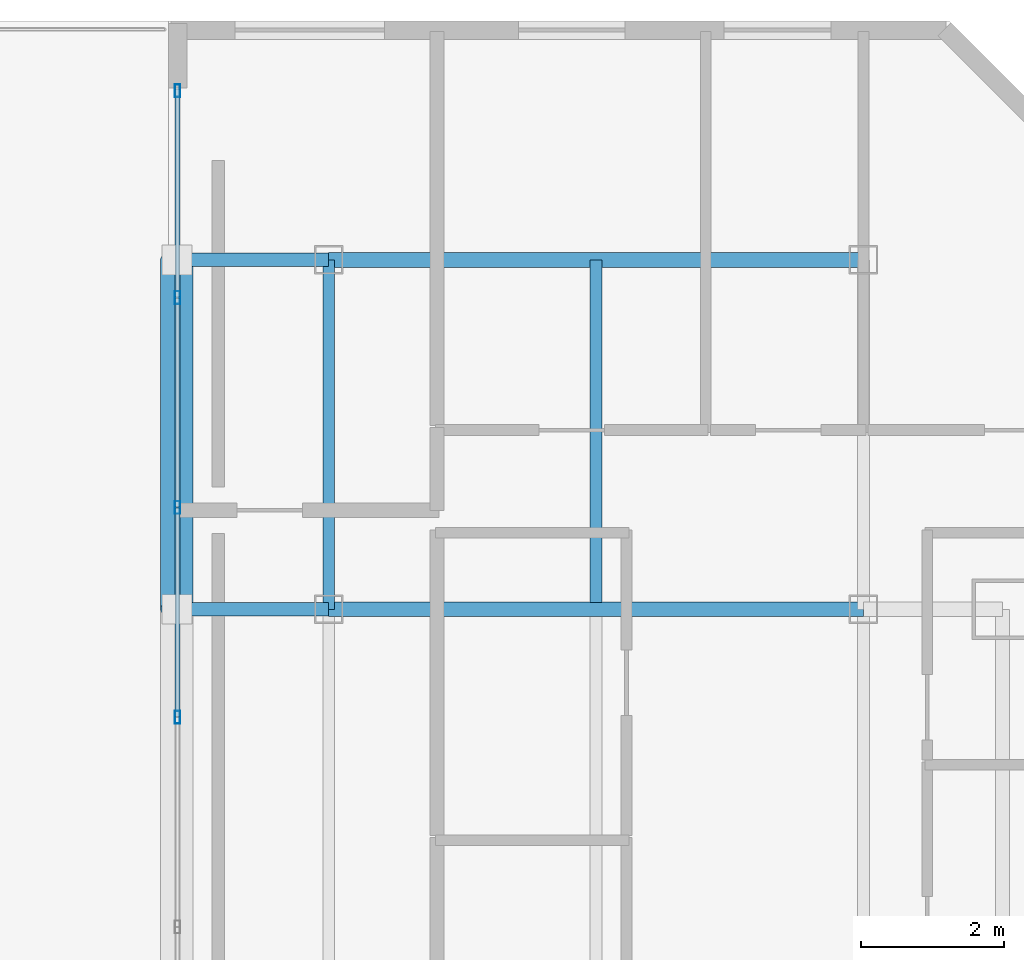
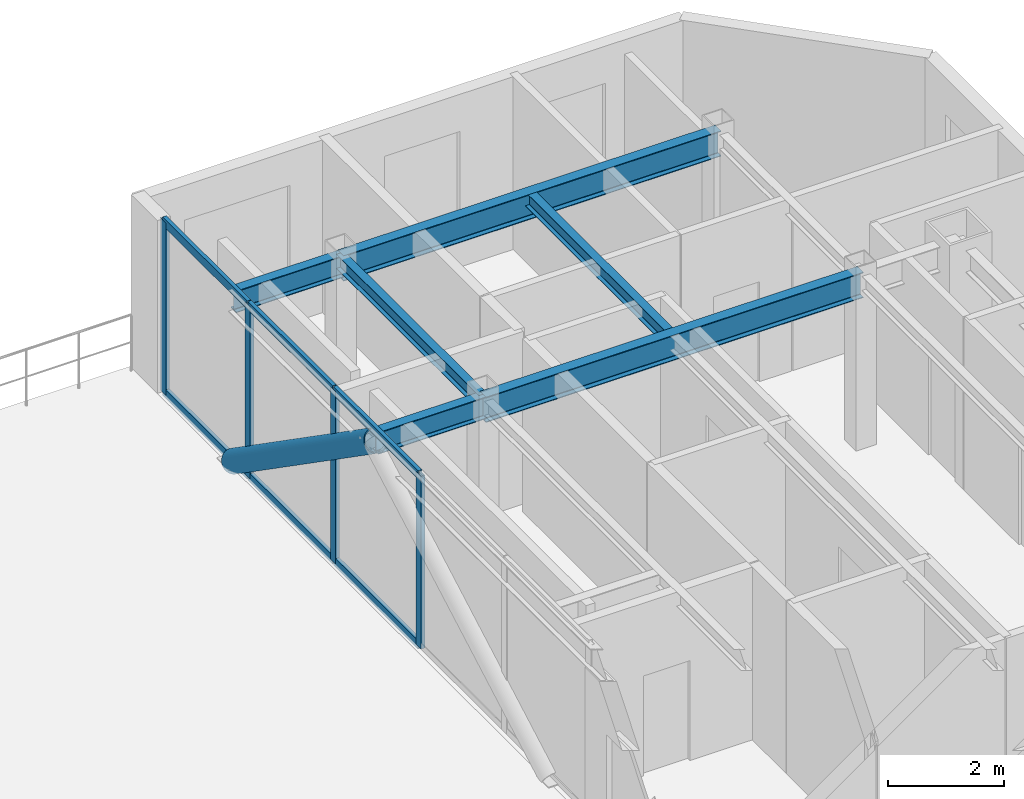
# One storey, part 7 of 14: 11 members, 6 beams, 1 element without a shape of its own.
"""IFC4 building model written with IfcOpenShell, lengths in metres."""

from ifc_helpers import new_model, si_unit, direction, frame, origin, origin_2d, place, context, subcontext, project, spatial, hollow_rectangle, hollow_circle, i_section, extrude, material, material_profile, profile_set, type_object, element, aggregate, save


model = new_model("IFC4")

# Units and contexts
model_context = context("Model", 3, precision=1e-05, world=origin(), true_north=direction((0.0, 1.0)))
body_context = subcontext(model_context, "Body", "Model", "MODEL_VIEW")
ifc_project = project(units=[si_unit("LENGTHUNIT", "METRE"), si_unit("AREAUNIT", "SQUARE_METRE"), si_unit("VOLUMEUNIT", "CUBIC_METRE"), si_unit("PLANEANGLEUNIT", "RADIAN"), si_unit("MASSUNIT", "GRAM", prefix="KILO")], contexts=[model_context])

# Site, building, storey
site_placement = place(None, origin())
site = spatial("IfcSite", under=ifc_project, at=site_placement, CompositionType="ELEMENT")
building_placement = place(site_placement, origin())
building = spatial("IfcBuilding", under=site, at=building_placement, Name="Ventersveld Concourse Tower", CompositionType="ELEMENT")
storey_placement = place(building_placement, frame((0.0, 0.0, 337.5)))
storey = spatial("IfcBuildingStorey", under=building, at=storey_placement, Name="L83", CompositionType="ELEMENT", Elevation=337.5)

# Beams
ifc_material_1 = material(Name="Structural steel S355J2", Category="steel")
ifc_material_profile_1 = material_profile(ifc_material_1, i_section(OverallWidth=0.1650390625, OverallDepth=0.303466796875, WebThickness=0.006103515625, FlangeThickness=0.01025390625, FilletRadius=0.0087890625, at=origin_2d()), Name="UB 305x165x40")
ifc_profile_set_1 = profile_set([ifc_material_profile_1], Name="Structural steel S355J2")
beam_type_1 = type_object("IfcBeamType", Name="BM-UB305", PredefinedType="BEAM", material=ifc_profile_set_1)
beam_1_placement = place(storey_placement, frame((36.25, 23.60009765625, 3.478271484375), z_axis=(0.0, 1.0, 0.0), x_axis=(-1.0, 0.0, 0.0)))
element("IfcBeam", 1, at=beam_1_placement, inside=storey, type_object=beam_type_1, Name="L83 N-S Upper-Zone Floor Beam X=36.25", PredefinedType="BEAM", context=body_context, shape_type="SweptSolid", body=[
    extrude(i_section(OverallWidth=0.1650390625, OverallDepth=0.303466796875, WebThickness=0.006103515625, FlangeThickness=0.01025390625, FilletRadius=0.0087890625, at=origin_2d()), origin(), (0.0, 0.0, 1.0), 4.89990234375),
])
beam_2_placement = place(storey_placement, frame((40.0, 23.695068359375, 3.478271484375), z_axis=(0.0, 1.0, 0.0), x_axis=(-1.0, 0.0, 0.0)))
element("IfcBeam", 2, at=beam_2_placement, inside=storey, type_object=beam_type_1, Name="L83 N-S Upper-Zone Floor Beam X=40.00", PredefinedType="BEAM", context=body_context, shape_type="SweptSolid", body=[
    extrude(i_section(OverallWidth=0.1650390625, OverallDepth=0.303466796875, WebThickness=0.006103515625, FlangeThickness=0.01025390625, FilletRadius=0.0087890625, at=origin_2d()), origin(), (0.0, 0.0, 1.0), 4.804931640625),
])

# Curtain wall, members
ifc_material_2 = material(Name="Anodised aluminium EN AW-6063-T6", Category="aluminium")
curtain_wall_type = type_object("IfcCurtainWallType", Name="CW-WP-5", PredefinedType="NOTDEFINED", material=ifc_material_2)
curtain_wall_placement = place(storey_placement, origin())
curtain_wall = element("IfcCurtainWall", 3, at=curtain_wall_placement, inside=storey, type_object=curtain_wall_type, Name="L83 L83 Wind Portal Aerodynamic Cheek Curtain Wall", PredefinedType="NOTDEFINED")
ifc_material_profile_2 = material_profile(ifc_material_2, hollow_rectangle(XDim=0.074951171875, YDim=0.179931640625, WallThickness=0.00390625, at=origin_2d()), Name="ALU 180x75x4")
ifc_profile_set_2 = profile_set([ifc_material_profile_2], Name="Anodised aluminium EN AW-6063-T6")
member_type_1 = type_object("IfcMemberType", Name="CWM-180x75", PredefinedType="MULLION", material=ifc_profile_set_2)
member_1_placement = place(storey_placement, frame((34.1298828125, 22.08544921875, 0.0), z_axis=(0.0, 0.0, 1.0), x_axis=(1.0, 0.0, 0.0)))
member_1 = element("IfcMember", 4, at=member_1_placement, type_object=member_type_1, Name="CW-L83-WP-E Mullion 03", PredefinedType="MULLION", context=body_context, shape_type="SweptSolid", body=[
    extrude(hollow_rectangle(XDim=0.074951171875, YDim=0.179931640625, WallThickness=0.00390625, at=origin_2d()), origin(), (0.0, 0.0, 1.0), 3.6298828125),
])
member_2_placement = place(storey_placement, frame((34.1298828125, 25.0283203125, 0.0), z_axis=(0.0, 0.0, 1.0), x_axis=(1.0, 0.0, 0.0)))
member_2 = element("IfcMember", 5, at=member_2_placement, type_object=member_type_1, Name="CW-L83-WP-E Mullion 04", PredefinedType="MULLION", context=body_context, shape_type="SweptSolid", body=[
    extrude(hollow_rectangle(XDim=0.074951171875, YDim=0.179931640625, WallThickness=0.00390625, at=origin_2d()), origin(), (0.0, 0.0, 1.0), 3.6298828125),
])
member_3_placement = place(storey_placement, frame((34.1298828125, 27.970947265625, 0.0), z_axis=(0.0, 0.0, 1.0), x_axis=(1.0, 0.0, 0.0)))
member_3 = element("IfcMember", 6, at=member_3_placement, type_object=member_type_1, Name="CW-L83-WP-E Mullion 05", PredefinedType="MULLION", context=body_context, shape_type="SweptSolid", body=[
    extrude(hollow_rectangle(XDim=0.074951171875, YDim=0.179931640625, WallThickness=0.00390625, at=origin_2d()), origin(), (0.0, 0.0, 1.0), 3.6298828125),
])
member_4_placement = place(storey_placement, frame((34.1298828125, 30.873779296875, 0.0), z_axis=(0.0, 0.0, 1.0), x_axis=(1.0, 0.0, 0.0)))
member_4 = element("IfcMember", 7, at=member_4_placement, type_object=member_type_1, Name="CW-L83-WP-E Mullion 06", PredefinedType="MULLION", context=body_context, shape_type="SweptSolid", body=[
    extrude(hollow_rectangle(XDim=0.074951171875, YDim=0.179931640625, WallThickness=0.00390625, at=origin_2d()), origin(), (0.0, 0.0, 1.0), 3.6298828125),
])
ifc_material_profile_3 = material_profile(ifc_material_2, hollow_rectangle(XDim=0.074951171875, YDim=0.179931640625, WallThickness=0.00390625, at=origin_2d()), Name="ALU 180x75x4")
ifc_profile_set_3 = profile_set([ifc_material_profile_3], Name="Anodised aluminium EN AW-6063-T6")
member_type_2 = type_object("IfcMemberType", Name="CWT-180x75", PredefinedType="USERDEFINED", material=ifc_profile_set_3)
member_5_placement = place(storey_placement, frame((34.1298828125, 22.095458984375, 0.030029296875), z_axis=(0.0, 1.0, 0.0), x_axis=(-1.0, 0.0, 0.0)))
member_5 = element("IfcMember", 8, at=member_5_placement, type_object=member_type_2, Name="CW-L83-WP-E Transom 1-03", ObjectType="TRANSOM", PredefinedType="USERDEFINED", context=body_context, shape_type="SweptSolid", body=[
    extrude(hollow_rectangle(XDim=0.074951171875, YDim=0.179931640625, WallThickness=0.00390625, at=origin_2d()), origin(), (0.0, 0.0, 1.0), 2.9228515625),
])
member_6_placement = place(storey_placement, frame((34.1298828125, 25.038330078125, 0.030029296875), z_axis=(0.0, 1.0, 0.0), x_axis=(-1.0, 0.0, 0.0)))
member_6 = element("IfcMember", 9, at=member_6_placement, type_object=member_type_2, Name="CW-L83-WP-E Transom 1-04", ObjectType="TRANSOM", PredefinedType="USERDEFINED", context=body_context, shape_type="SweptSolid", body=[
    extrude(hollow_rectangle(XDim=0.074951171875, YDim=0.179931640625, WallThickness=0.00390625, at=origin_2d()), origin(), (0.0, 0.0, 1.0), 2.922607421875),
])
member_7_placement = place(storey_placement, frame((34.1298828125, 27.98095703125, 0.030029296875), z_axis=(0.0, 1.0, 0.0), x_axis=(-1.0, 0.0, 0.0)))
member_7 = element("IfcMember", 10, at=member_7_placement, type_object=member_type_2, Name="CW-L83-WP-E Transom 1-05", ObjectType="TRANSOM", PredefinedType="USERDEFINED", context=body_context, shape_type="SweptSolid", body=[
    extrude(hollow_rectangle(XDim=0.074951171875, YDim=0.179931640625, WallThickness=0.00390625, at=origin_2d()), origin(), (0.0, 0.0, 1.0), 2.912841796875),
])
member_8_placement = place(storey_placement, frame((34.1298828125, 22.095458984375, 3.60009765625), z_axis=(0.0, 1.0, 0.0), x_axis=(-1.0, 0.0, 0.0)))
member_8 = element("IfcMember", 11, at=member_8_placement, type_object=member_type_2, Name="CW-L83-WP-E Transom 2-03", ObjectType="TRANSOM", PredefinedType="USERDEFINED", context=body_context, shape_type="SweptSolid", body=[
    extrude(hollow_rectangle(XDim=0.074951171875, YDim=0.179931640625, WallThickness=0.00390625, at=origin_2d()), origin(), (0.0, 0.0, 1.0), 2.9228515625),
])
member_9_placement = place(storey_placement, frame((34.1298828125, 25.038330078125, 3.60009765625), z_axis=(0.0, 1.0, 0.0), x_axis=(-1.0, 0.0, 0.0)))
member_9 = element("IfcMember", 12, at=member_9_placement, type_object=member_type_2, Name="CW-L83-WP-E Transom 2-04", ObjectType="TRANSOM", PredefinedType="USERDEFINED", context=body_context, shape_type="SweptSolid", body=[
    extrude(hollow_rectangle(XDim=0.074951171875, YDim=0.179931640625, WallThickness=0.00390625, at=origin_2d()), origin(), (0.0, 0.0, 1.0), 2.922607421875),
])
member_10_placement = place(storey_placement, frame((34.1298828125, 27.98095703125, 3.60009765625), z_axis=(0.0, 1.0, 0.0), x_axis=(-1.0, 0.0, 0.0)))
member_10 = element("IfcMember", 13, at=member_10_placement, type_object=member_type_2, Name="CW-L83-WP-E Transom 2-05", ObjectType="TRANSOM", PredefinedType="USERDEFINED", context=body_context, shape_type="SweptSolid", body=[
    extrude(hollow_rectangle(XDim=0.074951171875, YDim=0.179931640625, WallThickness=0.00390625, at=origin_2d()), origin(), (0.0, 0.0, 1.0), 2.912841796875),
])
aggregate(curtain_wall, [member_1, member_2, member_3, member_4, member_5, member_6, member_7, member_8, member_9, member_10])

# Beams
ifc_material_profile_4 = material_profile(ifc_material_1, i_section(OverallWidth=0.209228515625, OverallDepth=0.533203125, WebThickness=0.010009765625, FlangeThickness=0.015625, FilletRadius=0.0126953125, at=origin_2d()), Name="UB 533x210x92")
ifc_profile_set_4 = profile_set([ifc_material_profile_4], Name="Structural steel S355J2")
beam_type_2 = type_object("IfcBeamType", Name="GRD-UB533", PredefinedType="T_BEAM", material=ifc_profile_set_4)
for number, where, z_axis, x_axis, name in (
    (14, (36.25, 23.60009765625, 3.363525390625), (1.0, 0.0, 0.0), (0.0, 1.0, 0.0), "L83 Primary E-W Grid Girder Y=23.60 #4"),
    (15, (36.25, 28.5, 3.363525390625), (1.0, 0.0, 0.0), (0.0, 1.0, 0.0), "L83 North Girder Y=28.50 E"),
):
    element("IfcBeam", number, at=place(storey_placement, frame(where, z_axis=z_axis, x_axis=x_axis)), inside=storey, type_object=beam_type_2, Name=name, PredefinedType="T_BEAM", context=body_context, shape_type="SweptSolid", body=[
        extrude(i_section(OverallWidth=0.209228515625, OverallDepth=0.533203125, WebThickness=0.010009765625, FlangeThickness=0.015625, FilletRadius=0.0126953125, at=origin_2d()), origin(), (0.0, 0.0, 1.0), 7.5),
    ])
ifc_material_profile_5 = material_profile(ifc_material_1, i_section(OverallWidth=0.19140625, OverallDepth=0.4599609375, WebThickness=0.010009765625, FlangeThickness=0.01611328125, FilletRadius=0.01025390625, at=origin_2d()), Name="UB 457x191x82")
ifc_profile_set_5 = profile_set([ifc_material_profile_5], Name="Structural steel S355J2")
beam_type_3 = type_object("IfcBeamType", Name="SPD-UB457", PredefinedType="SPANDREL", material=ifc_profile_set_5)
for number, where, z_axis, x_axis, name in (
    (16, (34.1201171875, 23.60009765625, 3.39990234375), (1.0, 0.0, 0.0), (0.0, 1.0, 0.0), "L83 Wind Portal East Tie YD"),
    (17, (34.1201171875, 28.5, 3.39990234375), (1.0, 0.0, 0.0), (0.0, 1.0, 0.0), "L83 Wind Portal East Tie YN"),
):
    element("IfcBeam", number, at=place(storey_placement, frame(where, z_axis=z_axis, x_axis=x_axis)), inside=storey, type_object=beam_type_3, Name=name, PredefinedType="SPANDREL", context=body_context, shape_type="SweptSolid", body=[
        extrude(i_section(OverallWidth=0.19140625, OverallDepth=0.4599609375, WebThickness=0.010009765625, FlangeThickness=0.01611328125, FilletRadius=0.01025390625, at=origin_2d()), origin(), (0.0, 0.0, 1.0), 2.1298828125),
    ])

# Member
ifc_material_3 = material(Name="Structural steel S355ML", Category="steel")
ifc_material_profile_6 = material_profile(ifc_material_3, hollow_circle(Radius=0.228515625, WallThickness=0.02001953125, at=origin_2d()), Name="CHS 457x20")
ifc_profile_set_6 = profile_set([ifc_material_profile_6], Name="Structural steel S355ML")
member_type_3 = type_object("IfcMemberType", Name="STR-WP-457", PredefinedType="STRUT", material=ifc_profile_set_6)
member_11_placement = place(storey_placement, frame((34.1201171875, 28.5, 0.0), z_axis=(0.0, -0.820804326892, 0.571209468545), x_axis=(1.0, 0.0, 0.0)))
element("IfcMember", 18, at=member_11_placement, inside=storey, type_object=member_type_3, Name="L83 Wind Portal Edge Brace Strut E2", PredefinedType="STRUT", context=body_context, shape_type="SweptSolid", body=[
    extrude(hollow_circle(Radius=0.228515625, WallThickness=0.02001953125, at=origin_2d()), origin(), (0.0, 0.0, 1.0), 5.9697265625),
])

save(model, "model.ifc")
